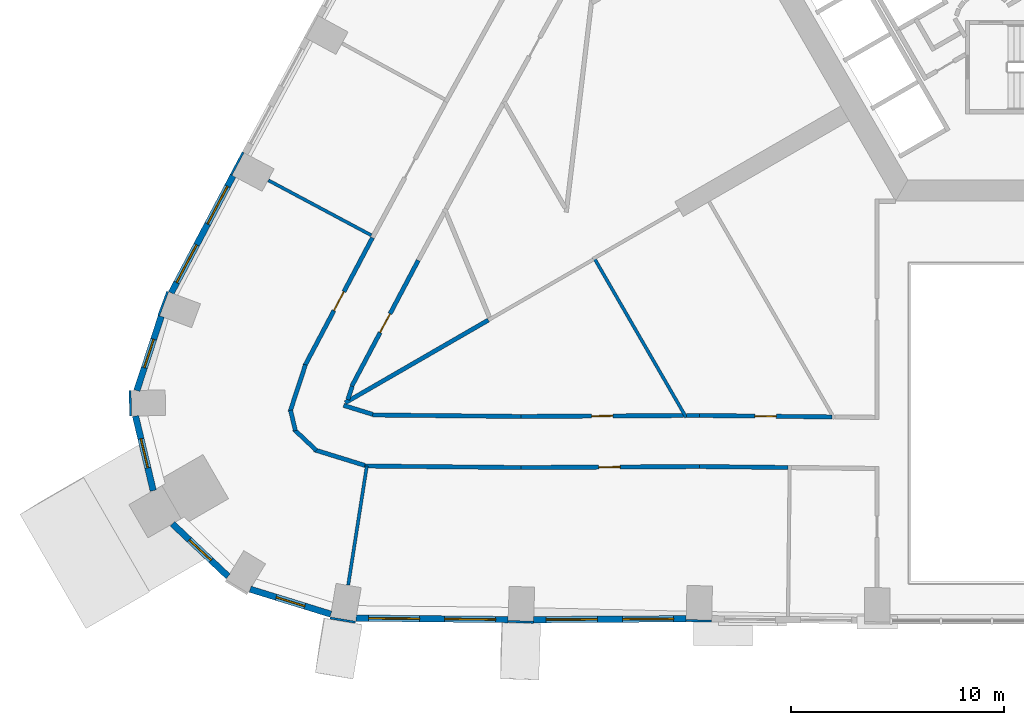
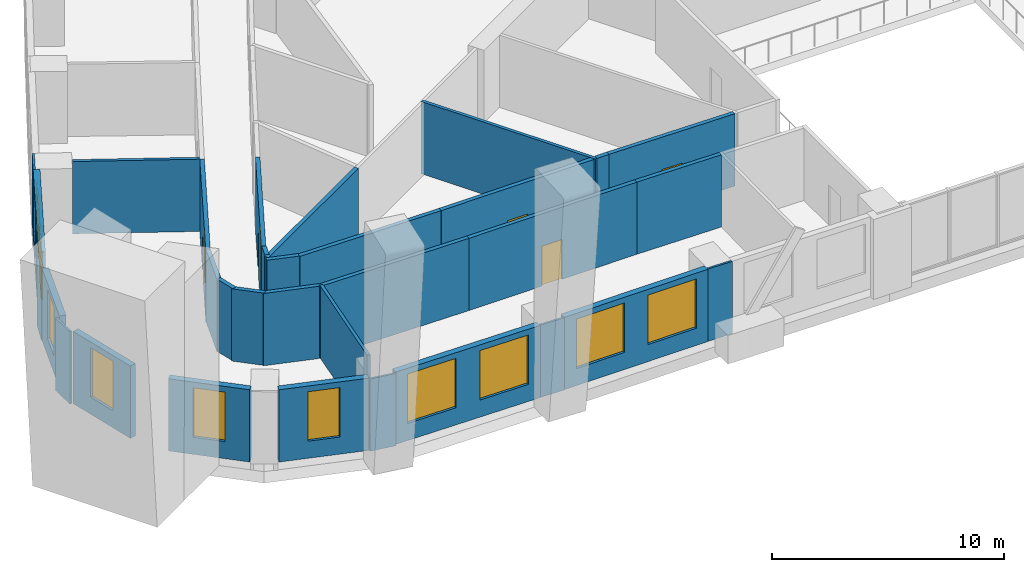
# One storey, part 4 of 16: 32 walls, 10 windows, 5 doors, 15 openings.
"""IFC4 building model written with IfcOpenShell, lengths in metres."""

from ifc_helpers import new_model, si_unit, direction, frame, frame_2d, origin, place, context, subcontext, project, spatial, rectangle, extrude, material, layer, layer_set, type_object, element, fill, save


model = new_model("IFC4")

# Units and contexts
model_context = context("Model", 3, precision=1e-05, world=origin(), true_north=direction((0.0, 1.0)))
body_context = subcontext(model_context, "Body", "Model", "MODEL_VIEW")
ifc_project = project(units=[si_unit("LENGTHUNIT", "METRE"), si_unit("AREAUNIT", "SQUARE_METRE"), si_unit("VOLUMEUNIT", "CUBIC_METRE"), si_unit("PLANEANGLEUNIT", "RADIAN"), si_unit("MASSUNIT", "GRAM", prefix="KILO")], contexts=[model_context])

# Site, building, storey
site_placement = place(None, origin())
site = spatial("IfcSite", under=ifc_project, at=site_placement, CompositionType="ELEMENT")
building_placement = place(site_placement, origin())
building = spatial("IfcBuilding", under=site, at=building_placement, Name="Entoto Arch Interchange Tower", CompositionType="ELEMENT")
storey_placement = place(building_placement, frame((0.0, 0.0, 60.199951171875)))
storey = spatial("IfcBuildingStorey", under=building, at=storey_placement, Name="L12", CompositionType="ELEMENT", Elevation=60.199951171875)

# Walls
ifc_material_1 = material(Name="Gypsum board partition on steel studs", Category="steel")
ifc_layer_1 = layer(ifc_material_1, 0.14990234375)
ifc_layer_set_1 = layer_set([ifc_layer_1], Name="Gypsum board partition on steel studs")
wall_type_1 = type_object("IfcWallType", Name="PARTITION 150", PredefinedType="PARTITIONING", material=ifc_layer_set_1)
wall_1_placement = place(storey_placement, frame((-16.76708984375, -19.657958984375, 0.0), z_axis=(0.0, 0.0, 1.0), x_axis=(-0.500083586486, 0.865977139726, 0.0)))
element("IfcWall", 1, at=wall_1_placement, inside=storey, type_object=wall_type_1, Name="wall:L12:p132", PredefinedType="PARTITIONING", context=body_context, shape_type="SweptSolid", body=[
    extrude(rectangle(XDim=8.68017578125, YDim=0.14990234375, at=frame_2d((4.340087890625, 0.0))), origin(), (0.0, 0.0, 1.0), 3.800048828125),
])
wall_2_placement = place(storey_placement, frame((-31.56103515625, -11.10302734375, 0.0), z_axis=(0.0, 0.0, 1.0), x_axis=(-0.882056805494, 0.47114306944, 0.0)))
element("IfcWall", 2, at=wall_2_placement, inside=storey, type_object=wall_type_1, Name="wall:L12:p148", PredefinedType="PARTITIONING", context=body_context, shape_type="SweptSolid", body=[
    extrude(rectangle(XDim=5.48046875, YDim=0.14990234375, at=frame_2d((2.740234375, 0.0))), origin(), (0.0, 0.0, 1.0), 3.800048828125),
])
wall_3_placement = place(storey_placement, frame((-31.77294921875, -21.944091796875, 0.0), z_axis=(0.0, 0.0, 1.0), x_axis=(-0.154313693693, -0.988021904585, 0.0)))
element("IfcWall", 3, at=wall_3_placement, inside=storey, type_object=wall_type_1, Name="wall:L12:p149", PredefinedType="PARTITIONING", context=body_context, shape_type="SweptSolid", body=[
    extrude(rectangle(XDim=5.65771484375, YDim=0.14990234375, at=frame_2d((2.828857421875, 0.0))), origin(), (0.0, 0.0, 1.0), 3.800048828125),
])
ifc_layer_2 = layer(ifc_material_1, 0.199951171875)
ifc_layer_set_2 = layer_set([ifc_layer_2], Name="Gypsum board partition on steel studs")
wall_type_2 = type_object("IfcWallType", Name="PARTITION 200", PredefinedType="PARTITIONING", material=ifc_layer_set_2)
wall_4_placement = place(storey_placement, frame((-16.741943359375, -19.571044921875, 0.0), z_axis=(0.0, 0.0, 1.0), x_axis=(0.999988034534, 0.004891910483, 0.0)))
element("IfcWall", 4, at=wall_4_placement, inside=storey, type_object=wall_type_2, Name="wall:L12:p035", PredefinedType="PARTITIONING", context=body_context, shape_type="SweptSolid", body=[
    extrude(rectangle(XDim=0.598876953125, YDim=0.199951171875, at=frame_2d((0.29931640625, 0.0))), origin(), (0.0, 0.0, 1.0), 3.800048828125),
])

# Wall, opening, door
wall_5_placement = place(storey_placement, frame((-16.14306640625, -19.568115234375, 0.0), z_axis=(0.0, 0.0, 1.0), x_axis=(0.999938688645, -0.011073344206, 0.0)))
wall_5 = element("IfcWall", 5, at=wall_5_placement, inside=storey, type_object=wall_type_2, Name="wall:L12:p036", PredefinedType="PARTITIONING", context=body_context, shape_type="SweptSolid", body=[
    extrude(rectangle(XDim=6.217529296875, YDim=0.199951171875, at=frame_2d((3.10888671875, 0.0))), origin(), (0.0, 0.0, 1.0), 3.800048828125),
])
opening_1_placement = place(wall_5_placement, frame((2.60888671875, 0.0, 0.0)))
opening_1 = element("IfcOpeningElement", 6, at=opening_1_placement, cuts=wall_5, Name="Opening L12-D24", PredefinedType="OPENING", context=body_context, shape_type="SweptSolid", body=[
    extrude(rectangle(XDim=1.0, YDim=2.10009765625, at=frame_2d((0.5, 1.050048828125))), frame((0.0, 0.10986328125, 0.0), z_axis=(0.0, -1.0, 0.0), x_axis=(1.0, 0.0, 0.0)), (0.0, 0.0, 1.0), 0.219970703125),
])
ifc_material_2 = material(Name="Timber door leaf in Steel S235 frame", Category="steel")
door_type = type_object("IfcDoorType", Name="DOOR DS-10 1000x2100", OperationType="SINGLE_SWING_LEFT", PredefinedType="DOOR", material=ifc_material_2)
door_1_placement = place(opening_1_placement, origin())
door_1 = element("IfcDoor", 7, at=door_1_placement, inside=storey, type_object=door_type, Name="door:L12:24", OperationType="SINGLE_SWING_LEFT", OverallHeight=2.10009765625, OverallWidth=1.0, PredefinedType="DOOR", context=body_context, shape_type="SweptSolid", body=[
    extrude(rectangle(XDim=1.0, YDim=2.10009765625, at=frame_2d((0.5, 1.050048828125))), frame((0.0, 0.02490234375, 0.0), z_axis=(0.0, -1.0, 0.0), x_axis=(1.0, 0.0, 0.0)), (0.0, 0.0, 1.0), 0.050048828125),
])
fill(opening_1, door_1)

wall_6_placement = place(storey_placement, frame((-29.35595703125, -12.281005859375, 0.0), z_axis=(0.0, 0.0, 1.0), x_axis=(-0.467123190417, -0.884192244353, 0.0)))
wall_6 = element("IfcWall", 8, at=wall_6_placement, inside=storey, type_object=wall_type_2, Name="wall:L12:p038", PredefinedType="PARTITIONING", context=body_context, shape_type="SweptSolid", body=[
    extrude(rectangle(XDim=6.67724609375, YDim=0.199951171875, at=frame_2d((3.338623046875, 0.0))), origin(), (0.0, 0.0, 1.0), 3.800048828125),
])
opening_2_placement = place(wall_6_placement, frame((2.839111328125, 0.0, 0.0)))
opening_2 = element("IfcOpeningElement", 9, at=opening_2_placement, cuts=wall_6, Name="Opening L12-D25", PredefinedType="OPENING", context=body_context, shape_type="SweptSolid", body=[
    extrude(rectangle(XDim=1.0, YDim=2.10009765625, at=frame_2d((0.5, 1.050048828125))), frame((0.0, 0.10986328125, 0.0), z_axis=(0.0, -1.0, 0.0), x_axis=(1.0, 0.0, 0.0)), (0.0, 0.0, 1.0), 0.219970703125),
])
door_2_placement = place(opening_2_placement, origin())
door_2 = element("IfcDoor", 10, at=door_2_placement, inside=storey, type_object=door_type, Name="door:L12:25", OperationType="SINGLE_SWING_LEFT", OverallHeight=2.10009765625, OverallWidth=1.0, PredefinedType="DOOR", context=body_context, shape_type="SweptSolid", body=[
    extrude(rectangle(XDim=1.0, YDim=2.10009765625, at=frame_2d((0.5, 1.050048828125))), frame((0.0, 0.02490234375, 0.0), z_axis=(0.0, -1.0, 0.0), x_axis=(1.0, 0.0, 0.0)), (0.0, 0.0, 1.0), 0.050048828125),
])
fill(opening_2, door_2)

# Walls
wall_7_placement = place(storey_placement, frame((-32.458984375, -18.19091796875, 0.0), z_axis=(0.0, 0.0, 1.0), x_axis=(-0.312158013001, -0.950030196846, 0.0)))
element("IfcWall", 11, at=wall_7_placement, inside=storey, type_object=wall_type_2, Name="wall:L12:p039", PredefinedType="PARTITIONING", context=body_context, shape_type="SweptSolid", body=[
    extrude(rectangle(XDim=0.666259765625, YDim=0.199951171875, at=frame_2d((0.3330078125, 0.0))), origin(), (0.0, 0.0, 1.0), 3.800048828125),
])
wall_8_placement = place(storey_placement, frame((-32.861083984375, -19.094970703125, 0.0), z_axis=(0.0, 0.0, 1.0), x_axis=(0.955301951006, -0.29563183591, 0.0)))
element("IfcWall", 12, at=wall_8_placement, inside=storey, type_object=wall_type_2, Name="wall:L12:p040", PredefinedType="PARTITIONING", context=body_context, shape_type="SweptSolid", body=[
    extrude(rectangle(XDim=1.43115234375, YDim=0.199951171875, at=frame_2d((0.715576171875, 0.0))), origin(), (0.0, 0.0, 1.0), 3.800048828125),
])
wall_9_placement = place(storey_placement, frame((-31.498046875, -19.5458984375, 0.0), z_axis=(0.0, 0.0, 1.0), x_axis=(0.999950985372, -0.009900851195, 0.0)))
element("IfcWall", 13, at=wall_9_placement, inside=storey, type_object=wall_type_2, Name="wall:L12:p041", PredefinedType="PARTITIONING", context=body_context, shape_type="SweptSolid", body=[
    extrude(rectangle(XDim=6.978271484375, YDim=0.199951171875, at=frame_2d((3.4892578125, 0.0))), origin(), (0.0, 0.0, 1.0), 3.800048828125),
])

# Wall, opening, door
wall_10_placement = place(storey_placement, frame((-24.52001953125, -19.614990234375, 0.0), z_axis=(0.0, 0.0, 1.0), x_axis=(0.999984134574, 0.00563299218, 0.0)))
wall_10 = element("IfcWall", 14, at=wall_10_placement, inside=storey, type_object=wall_type_2, Name="wall:L12:p042", PredefinedType="PARTITIONING", context=body_context, shape_type="SweptSolid", body=[
    extrude(rectangle(XDim=7.6279296875, YDim=0.199951171875, at=frame_2d((3.81396484375, 0.0))), origin(), (0.0, 0.0, 1.0), 3.800048828125),
])
opening_3_placement = place(wall_10_placement, frame((3.31396484375, 0.0, 0.0)))
opening_3 = element("IfcOpeningElement", 15, at=opening_3_placement, cuts=wall_10, Name="Opening L12-D26", PredefinedType="OPENING", context=body_context, shape_type="SweptSolid", body=[
    extrude(rectangle(XDim=1.0, YDim=2.10009765625, at=frame_2d((0.5, 1.050048828125))), frame((0.0, 0.10986328125, 0.0), z_axis=(0.0, -1.0, 0.0), x_axis=(1.0, 0.0, 0.0)), (0.0, 0.0, 1.0), 0.219970703125),
])
door_3_placement = place(opening_3_placement, origin())
door_3 = element("IfcDoor", 16, at=door_3_placement, inside=storey, type_object=door_type, Name="door:L12:26", OperationType="SINGLE_SWING_LEFT", OverallHeight=2.10009765625, OverallWidth=1.0, PredefinedType="DOOR", context=body_context, shape_type="SweptSolid", body=[
    extrude(rectangle(XDim=1.0, YDim=2.10009765625, at=frame_2d((0.5, 1.050048828125))), frame((0.0, 0.02490234375, 0.0), z_axis=(0.0, -1.0, 0.0), x_axis=(1.0, 0.0, 0.0)), (0.0, 0.0, 1.0), 0.050048828125),
])
fill(opening_3, door_3)

# Walls
wall_11_placement = place(storey_placement, frame((-31.867919921875, -21.9140625, 0.0), z_axis=(0.0, 0.0, 1.0), x_axis=(-0.955329505989, 0.295542780299, 0.0)))
element("IfcWall", 17, at=wall_11_placement, inside=storey, type_object=wall_type_2, Name="wall:L12:p074", PredefinedType="PARTITIONING", context=body_context, shape_type="SweptSolid", body=[
    extrude(rectangle(XDim=2.48388671875, YDim=0.199951171875, at=frame_2d((1.241943359375, 0.0))), origin(), (0.0, 0.0, 1.0), 3.800048828125),
])
wall_12_placement = place(storey_placement, frame((-34.14599609375, -21.208984375, 0.0), z_axis=(0.0, 0.0, 1.0), x_axis=(-0.727092478665, 0.686539530885, 0.0)))
element("IfcWall", 18, at=wall_12_placement, inside=storey, type_object=wall_type_2, Name="wall:L12:p075", PredefinedType="PARTITIONING", context=body_context, shape_type="SweptSolid", body=[
    extrude(rectangle(XDim=1.450927734375, YDim=0.199951171875, at=frame_2d((0.7255859375, 0.0))), origin(), (0.0, 0.0, 1.0), 3.800048828125),
])
wall_13_placement = place(storey_placement, frame((-35.12890625, -20.281005859375, 0.0), z_axis=(0.0, 0.0, 1.0), x_axis=(-0.230392306785, 0.973097829087, 0.0)))
element("IfcWall", 19, at=wall_13_placement, inside=storey, type_object=wall_type_2, Name="wall:L12:p076", PredefinedType="PARTITIONING", context=body_context, shape_type="SweptSolid", body=[
    extrude(rectangle(XDim=0.985595703125, YDim=0.199951171875, at=frame_2d((0.49267578125, 0.0))), origin(), (0.0, 0.0, 1.0), 3.800048828125),
])
wall_14_placement = place(storey_placement, frame((-35.386962890625, -19.416015625, 0.0), z_axis=(0.0, 0.0, 1.0), x_axis=(0.31172635658, 0.950171920556, 0.0)))
element("IfcWall", 20, at=wall_14_placement, inside=storey, type_object=wall_type_2, Name="wall:L12:p077", PredefinedType="PARTITIONING", context=body_context, shape_type="SweptSolid", body=[
    extrude(rectangle(XDim=2.344970703125, YDim=0.199951171875, at=frame_2d((1.17236328125, 0.0))), origin(), (0.0, 0.0, 1.0), 3.800048828125),
])

# Wall, opening, door
wall_15_placement = place(storey_placement, frame((-34.69189453125, -17.242919921875, 0.0), z_axis=(0.0, 0.0, 1.0), x_axis=(0.467102540817, 0.884203153332, 0.0)))
wall_15 = element("IfcWall", 21, at=wall_15_placement, inside=storey, type_object=wall_type_2, Name="wall:L12:p078", PredefinedType="PARTITIONING", context=body_context, shape_type="SweptSolid", body=[
    extrude(rectangle(XDim=6.816162109375, YDim=0.199951171875, at=frame_2d((3.408203125, 0.0))), origin(), (0.0, 0.0, 1.0), 3.800048828125),
])
opening_4_placement = place(wall_15_placement, frame((2.946044921875, 0.0, 0.0)))
opening_4 = element("IfcOpeningElement", 22, at=opening_4_placement, cuts=wall_15, Name="Opening L12-D16", PredefinedType="OPENING", context=body_context, shape_type="SweptSolid", body=[
    extrude(rectangle(XDim=1.0, YDim=2.10009765625, at=frame_2d((0.5, 1.050048828125))), frame((0.0, 0.10986328125, 0.0), z_axis=(0.0, -1.0, 0.0), x_axis=(1.0, 0.0, 0.0)), (0.0, 0.0, 1.0), 0.219970703125),
])
door_4_placement = place(opening_4_placement, origin())
door_4 = element("IfcDoor", 23, at=door_4_placement, inside=storey, type_object=door_type, Name="door:L12:16", OperationType="SINGLE_SWING_LEFT", OverallHeight=2.10009765625, OverallWidth=1.0, PredefinedType="DOOR", context=body_context, shape_type="SweptSolid", body=[
    extrude(rectangle(XDim=1.0, YDim=2.10009765625, at=frame_2d((0.5, 1.050048828125))), frame((0.0, 0.02490234375, 0.0), z_axis=(0.0, -1.0, 0.0), x_axis=(1.0, 0.0, 0.0)), (0.0, 0.0, 1.0), 0.050048828125),
])
fill(opening_4, door_4)

# Wall
wall_16_placement = place(storey_placement, frame((-11.97900390625, -22.013916015625, 0.0), z_axis=(0.0, 0.0, 1.0), x_axis=(-0.999939456554, 0.01100378236, 0.0)))
element("IfcWall", 24, at=wall_16_placement, inside=storey, type_object=wall_type_2, Name="wall:L12:p079", PredefinedType="PARTITIONING", context=body_context, shape_type="SweptSolid", body=[
    extrude(rectangle(XDim=4.171142578125, YDim=0.199951171875, at=frame_2d((2.08544921875, 0.0))), origin(), (0.0, 0.0, 1.0), 3.800048828125),
])

# Wall, opening, door
wall_17_placement = place(storey_placement, frame((-16.14990234375, -21.968017578125, 0.0), z_axis=(0.0, 0.0, 1.0), x_axis=(-0.99998433708, -0.00559692726, 0.0)))
wall_17 = element("IfcWall", 25, at=wall_17_placement, inside=storey, type_object=wall_type_2, Name="wall:L12:p080", PredefinedType="PARTITIONING", context=body_context, shape_type="SweptSolid", body=[
    extrude(rectangle(XDim=8.375244140625, YDim=0.199951171875, at=frame_2d((4.1875, 0.0))), origin(), (0.0, 0.0, 1.0), 3.800048828125),
])
opening_5_placement = place(wall_17_placement, frame((3.72509765625, 0.0, 0.0)))
opening_5 = element("IfcOpeningElement", 26, at=opening_5_placement, cuts=wall_17, Name="Opening L12-D17", PredefinedType="OPENING", context=body_context, shape_type="SweptSolid", body=[
    extrude(rectangle(XDim=1.0, YDim=2.10009765625, at=frame_2d((0.5, 1.050048828125))), frame((0.0, 0.10986328125, 0.0), z_axis=(0.0, -1.0, 0.0), x_axis=(1.0, 0.0, 0.0)), (0.0, 0.0, 1.0), 0.219970703125),
])
door_5_placement = place(opening_5_placement, origin())
door_5 = element("IfcDoor", 27, at=door_5_placement, inside=storey, type_object=door_type, Name="door:L12:17", OperationType="SINGLE_SWING_RIGHT", OverallHeight=2.10009765625, OverallWidth=1.0, PredefinedType="DOOR", context=body_context, shape_type="SweptSolid", body=[
    extrude(rectangle(XDim=1.0, YDim=2.10009765625, at=frame_2d((0.5, 1.050048828125))), frame((0.0, 0.02490234375, 0.0), z_axis=(0.0, -1.0, 0.0), x_axis=(1.0, 0.0, 0.0)), (0.0, 0.0, 1.0), 0.050048828125),
])
fill(opening_5, door_5)

# Walls
wall_18_placement = place(storey_placement, frame((-24.52490234375, -22.014892578125, 0.0), z_axis=(0.0, 0.0, 1.0), x_axis=(-0.999952295614, 0.009767624922, 0.0)))
element("IfcWall", 28, at=wall_18_placement, inside=storey, type_object=wall_type_2, Name="wall:L12:p081", PredefinedType="PARTITIONING", context=body_context, shape_type="SweptSolid", body=[
    extrude(rectangle(XDim=7.348388671875, YDim=0.199951171875, at=frame_2d((3.67431640625, 0.0))), origin(), (0.0, 0.0, 1.0), 3.800048828125),
])
wall_19_placement = place(storey_placement, frame((-26.06396484375, -15.087890625, 0.0), z_axis=(0.0, 0.0, 1.0), x_axis=(-0.865982841629, -0.500073712571, 0.0)))
element("IfcWall", 29, at=wall_19_placement, inside=storey, type_object=wall_type_2, Name="wall:L12:p133", PredefinedType="PARTITIONING", context=body_context, shape_type="SweptSolid", body=[
    extrude(rectangle(XDim=7.760986328125, YDim=0.199951171875, at=frame_2d((3.88037109375, 0.0))), origin(), (0.0, 0.0, 1.0), 3.800048828125),
])

# Wall, openings, windows
ifc_material_3 = material(Name="Welded tuff (ignimbrite) cladding, warm buff", Category="masonry")
ifc_layer_3 = layer(ifc_material_3, 0.300048828125)
ifc_layer_set_3 = layer_set([ifc_layer_3], Name="Welded tuff (ignimbrite) cladding, warm buff")
wall_type_3 = type_object("IfcWallType", Name="STONE INFILL WALL 300", PredefinedType="STANDARD", material=ifc_layer_set_3)
wall_20_placement = place(storey_placement, frame((-32.279052734375, -29.089111328125, 0.0), z_axis=(0.0, 0.0, 1.0), x_axis=(0.999952253205, -0.009771965572, 0.0)))
wall_20 = element("IfcWall", 30, at=wall_20_placement, inside=storey, type_object=wall_type_3, Name="Facade wall S-01 L12", PredefinedType="STANDARD", context=body_context, shape_type="SweptSolid", body=[
    extrude(rectangle(XDim=7.145263671875, YDim=0.300048828125, at=frame_2d((3.57275390625, 0.0))), origin(), (0.0, 0.0, 1.0), 3.800048828125),
])
opening_6_placement = place(wall_20_placement, frame((0.5859375, 0.0, 0.89990234375)))
opening_6 = element("IfcOpeningElement", 31, at=opening_6_placement, cuts=wall_20, Name="Opening WO-A", PredefinedType="OPENING", context=body_context, shape_type="SweptSolid", body=[
    extrude(rectangle(XDim=2.39990234375, YDim=2.60009765625, at=frame_2d((1.199951171875, 1.300048828125))), frame((0.0, 0.16015625, 0.0), z_axis=(0.0, -1.0, 0.0), x_axis=(1.0, 0.0, 0.0)), (0.0, 0.0, 1.0), 0.320068359375),
])
opening_7_placement = place(wall_20_placement, frame((4.158935546875, 0.0, 0.89990234375)))
opening_7 = element("IfcOpeningElement", 32, at=opening_7_placement, cuts=wall_20, Name="Opening WO-A", PredefinedType="OPENING", context=body_context, shape_type="SweptSolid", body=[
    extrude(rectangle(XDim=2.39990234375, YDim=2.60009765625, at=frame_2d((1.199951171875, 1.300048828125))), frame((0.0, 0.16015625, 0.0), z_axis=(0.0, -1.0, 0.0), x_axis=(1.0, 0.0, 0.0)), (0.0, 0.0, 1.0), 0.320068359375),
])
ifc_material_4 = material(Name="Clear glass, low-e double glazed", Category="glass")
window_type_1 = type_object("IfcWindowType", Name="WINDOW WO-A 2400x2600", PartitioningType="DOUBLE_PANEL_VERTICAL", PredefinedType="WINDOW", material=ifc_material_4)
window_1_placement = place(opening_6_placement, origin())
window_1 = element("IfcWindow", 33, at=window_1_placement, inside=storey, type_object=window_type_1, Name="Window WO-A S-01 L12", OverallHeight=2.60009765625, OverallWidth=2.39990234375, PartitioningType="SINGLE_PANEL", PredefinedType="WINDOW", context=body_context, shape_type="SweptSolid", body=[
    extrude(rectangle(XDim=2.39990234375, YDim=2.60009765625, at=frame_2d((1.199951171875, 1.300048828125))), frame((0.0, 0.030029296875, 0.0), z_axis=(0.0, -1.0, 0.0), x_axis=(1.0, 0.0, 0.0)), (0.0, 0.0, 1.0), 0.06005859375),
])
fill(opening_6, window_1)
window_2_placement = place(opening_7_placement, origin())
window_2 = element("IfcWindow", 34, at=window_2_placement, inside=storey, type_object=window_type_1, Name="Window WO-A S-01 L12", OverallHeight=2.60009765625, OverallWidth=2.39990234375, PartitioningType="SINGLE_PANEL", PredefinedType="WINDOW", context=body_context, shape_type="SweptSolid", body=[
    extrude(rectangle(XDim=2.39990234375, YDim=2.60009765625, at=frame_2d((1.199951171875, 1.300048828125))), frame((0.0, 0.030029296875, 0.0), z_axis=(0.0, -1.0, 0.0), x_axis=(1.0, 0.0, 0.0)), (0.0, 0.0, 1.0), 0.06005859375),
])
fill(opening_7, window_2)

wall_21_placement = place(storey_placement, frame((-23.93603515625, -29.162109375, 0.0), z_axis=(0.0, 0.0, 1.0), x_axis=(0.999983638272, 0.005720418525, 0.0)))
wall_21 = element("IfcWall", 35, at=wall_21_placement, inside=storey, type_object=wall_type_3, Name="Facade wall S-02 L12", PredefinedType="STANDARD", context=body_context, shape_type="SweptSolid", body=[
    extrude(rectangle(XDim=7.169921875, YDim=0.300048828125, at=frame_2d((3.5849609375, 0.0))), origin(), (0.0, 0.0, 1.0), 3.800048828125),
])
opening_8_placement = place(wall_21_placement, frame((0.593017578125, 0.0, 0.89990234375)))
opening_8 = element("IfcOpeningElement", 36, at=opening_8_placement, cuts=wall_21, Name="Opening WO-A", PredefinedType="OPENING", context=body_context, shape_type="SweptSolid", body=[
    extrude(rectangle(XDim=2.39990234375, YDim=2.60009765625, at=frame_2d((1.199951171875, 1.300048828125))), frame((0.0, 0.16015625, 0.0), z_axis=(0.0, -1.0, 0.0), x_axis=(1.0, 0.0, 0.0)), (0.0, 0.0, 1.0), 0.320068359375),
])
opening_9_placement = place(wall_21_placement, frame((4.177978515625, 0.0, 0.89990234375)))
opening_9 = element("IfcOpeningElement", 37, at=opening_9_placement, cuts=wall_21, Name="Opening WO-A", PredefinedType="OPENING", context=body_context, shape_type="SweptSolid", body=[
    extrude(rectangle(XDim=2.39990234375, YDim=2.60009765625, at=frame_2d((1.199951171875, 1.300048828125))), frame((0.0, 0.16015625, 0.0), z_axis=(0.0, -1.0, 0.0), x_axis=(1.0, 0.0, 0.0)), (0.0, 0.0, 1.0), 0.320068359375),
])
window_3_placement = place(opening_8_placement, origin())
window_3 = element("IfcWindow", 38, at=window_3_placement, inside=storey, type_object=window_type_1, Name="Window WO-A S-02 L12", OverallHeight=2.60009765625, OverallWidth=2.39990234375, PartitioningType="SINGLE_PANEL", PredefinedType="WINDOW", context=body_context, shape_type="SweptSolid", body=[
    extrude(rectangle(XDim=2.39990234375, YDim=2.60009765625, at=frame_2d((1.199951171875, 1.300048828125))), frame((0.0, 0.030029296875, 0.0), z_axis=(0.0, -1.0, 0.0), x_axis=(1.0, 0.0, 0.0)), (0.0, 0.0, 1.0), 0.06005859375),
])
fill(opening_8, window_3)
window_4_placement = place(opening_9_placement, origin())
window_4 = element("IfcWindow", 39, at=window_4_placement, inside=storey, type_object=window_type_1, Name="Window WO-A S-02 L12", OverallHeight=2.60009765625, OverallWidth=2.39990234375, PartitioningType="SINGLE_PANEL", PredefinedType="WINDOW", context=body_context, shape_type="SweptSolid", body=[
    extrude(rectangle(XDim=2.39990234375, YDim=2.60009765625, at=frame_2d((1.199951171875, 1.300048828125))), frame((0.0, 0.030029296875, 0.0), z_axis=(0.0, -1.0, 0.0), x_axis=(1.0, 0.0, 0.0)), (0.0, 0.0, 1.0), 0.06005859375),
])
fill(opening_9, window_4)

wall_22_placement = place(storey_placement, frame((-38.05908203125, -8.31005859375, 0.0), z_axis=(0.0, 0.0, 1.0), x_axis=(-0.467041710902, -0.884235285587, 0.0)))
wall_22 = element("IfcWall", 40, at=wall_22_placement, inside=storey, type_object=wall_type_3, Name="Facade wall NW-09 L12", PredefinedType="STANDARD", context=body_context, shape_type="SweptSolid", body=[
    extrude(rectangle(XDim=6.219970703125, YDim=0.300048828125, at=frame_2d((3.10986328125, 0.0))), origin(), (0.0, 0.0, 1.0), 3.800048828125),
])
opening_10_placement = place(wall_22_placement, frame((0.554931640625, 0.0, 0.89990234375)))
opening_10 = element("IfcOpeningElement", 41, at=opening_10_placement, cuts=wall_22, Name="Opening WO-C", PredefinedType="OPENING", context=body_context, shape_type="SweptSolid", body=[
    extrude(rectangle(XDim=2.0, YDim=2.60009765625, at=frame_2d((1.0, 1.300048828125))), frame((0.0, 0.16015625, 0.0), z_axis=(0.0, -1.0, 0.0), x_axis=(1.0, 0.0, 0.0)), (0.0, 0.0, 1.0), 0.320068359375),
])
opening_11_placement = place(wall_22_placement, frame((3.6650390625, 0.0, 0.89990234375)))
opening_11 = element("IfcOpeningElement", 42, at=opening_11_placement, cuts=wall_22, Name="Opening WO-C", PredefinedType="OPENING", context=body_context, shape_type="SweptSolid", body=[
    extrude(rectangle(XDim=2.0, YDim=2.60009765625, at=frame_2d((1.0, 1.300048828125))), frame((0.0, 0.16015625, 0.0), z_axis=(0.0, -1.0, 0.0), x_axis=(1.0, 0.0, 0.0)), (0.0, 0.0, 1.0), 0.320068359375),
])
window_type_2 = type_object("IfcWindowType", Name="WINDOW WO-C 2000x2600", PartitioningType="DOUBLE_PANEL_VERTICAL", PredefinedType="WINDOW", material=ifc_material_4)
window_5_placement = place(opening_10_placement, origin())
window_5 = element("IfcWindow", 43, at=window_5_placement, inside=storey, type_object=window_type_2, Name="Window WO-C NW-09 L12", OverallHeight=2.60009765625, OverallWidth=2.0, PartitioningType="SINGLE_PANEL", PredefinedType="WINDOW", context=body_context, shape_type="SweptSolid", body=[
    extrude(rectangle(XDim=2.0, YDim=2.60009765625, at=frame_2d((1.0, 1.300048828125))), frame((0.0, 0.030029296875, 0.0), z_axis=(0.0, -1.0, 0.0), x_axis=(1.0, 0.0, 0.0)), (0.0, 0.0, 1.0), 0.06005859375),
])
fill(opening_10, window_5)
window_6_placement = place(opening_11_placement, origin())
window_6 = element("IfcWindow", 44, at=window_6_placement, inside=storey, type_object=window_type_2, Name="Window WO-C NW-09 L12", OverallHeight=2.60009765625, OverallWidth=2.0, PartitioningType="SINGLE_PANEL", PredefinedType="WINDOW", context=body_context, shape_type="SweptSolid", body=[
    extrude(rectangle(XDim=2.0, YDim=2.60009765625, at=frame_2d((1.0, 1.300048828125))), frame((0.0, 0.030029296875, 0.0), z_axis=(0.0, -1.0, 0.0), x_axis=(1.0, 0.0, 0.0)), (0.0, 0.0, 1.0), 0.06005859375),
])
fill(opening_11, window_6)

# Wall, opening, window
wall_23_placement = place(storey_placement, frame((-41.43408203125, -14.9130859375, 0.0), z_axis=(0.0, 0.0, 1.0), x_axis=(-0.31208801137, -0.95005319491, 0.0)))
wall_23 = element("IfcWall", 45, at=wall_23_placement, inside=storey, type_object=wall_type_3, Name="Facade wall SW-01 L12", PredefinedType="STANDARD", context=body_context, shape_type="SweptSolid", body=[
    extrude(rectangle(XDim=3.6650390625, YDim=0.300048828125, at=frame_2d((1.83251953125, 0.0))), origin(), (0.0, 0.0, 1.0), 3.800048828125),
])
opening_12_placement = place(wall_23_placement, frame((1.133056640625, 0.0, 0.89990234375)))
opening_12 = element("IfcOpeningElement", 46, at=opening_12_placement, cuts=wall_23, Name="Opening WO-B", PredefinedType="OPENING", context=body_context, shape_type="SweptSolid", body=[
    extrude(rectangle(XDim=1.39990234375, YDim=2.60009765625, at=frame_2d((0.699951171875, 1.300048828125))), frame((0.0, 0.16015625, 0.0), z_axis=(0.0, -1.0, 0.0), x_axis=(1.0, 0.0, 0.0)), (0.0, 0.0, 1.0), 0.320068359375),
])
window_type_3 = type_object("IfcWindowType", Name="WINDOW WO-B 1400x2600", PartitioningType="DOUBLE_PANEL_VERTICAL", PredefinedType="WINDOW", material=ifc_material_4)
window_7_placement = place(opening_12_placement, origin())
window_7 = element("IfcWindow", 47, at=window_7_placement, inside=storey, type_object=window_type_3, Name="Window WO-B SW-01 L12", OverallHeight=2.60009765625, OverallWidth=1.39990234375, PartitioningType="SINGLE_PANEL", PredefinedType="WINDOW", context=body_context, shape_type="SweptSolid", body=[
    extrude(rectangle(XDim=1.39990234375, YDim=2.60009765625, at=frame_2d((0.699951171875, 1.300048828125))), frame((0.0, 0.030029296875, 0.0), z_axis=(0.0, -1.0, 0.0), x_axis=(1.0, 0.0, 0.0)), (0.0, 0.0, 1.0), 0.06005859375),
])
fill(opening_12, window_7)

wall_24_placement = place(storey_placement, frame((-42.639892578125, -19.594970703125, 0.0), z_axis=(0.0, 0.0, 1.0), x_axis=(0.230893603767, -0.972979004778, 0.0)))
wall_24 = element("IfcWall", 48, at=wall_24_placement, inside=storey, type_object=wall_type_3, Name="Facade wall SW-02 L12", PredefinedType="STANDARD", context=body_context, shape_type="SweptSolid", body=[
    extrude(rectangle(XDim=3.6025390625, YDim=0.300048828125, at=frame_2d((1.80126953125, 0.0))), origin(), (0.0, 0.0, 1.0), 3.800048828125),
])
opening_13_placement = place(wall_24_placement, frame((1.10107421875, 0.0, 0.89990234375)))
opening_13 = element("IfcOpeningElement", 49, at=opening_13_placement, cuts=wall_24, Name="Opening WO-B", PredefinedType="OPENING", context=body_context, shape_type="SweptSolid", body=[
    extrude(rectangle(XDim=1.39990234375, YDim=2.60009765625, at=frame_2d((0.699951171875, 1.300048828125))), frame((0.0, 0.16015625, 0.0), z_axis=(0.0, -1.0, 0.0), x_axis=(1.0, 0.0, 0.0)), (0.0, 0.0, 1.0), 0.320068359375),
])
window_8_placement = place(opening_13_placement, origin())
window_8 = element("IfcWindow", 50, at=window_8_placement, inside=storey, type_object=window_type_3, Name="Window WO-B SW-02 L12", OverallHeight=2.60009765625, OverallWidth=1.39990234375, PartitioningType="SINGLE_PANEL", PredefinedType="WINDOW", context=body_context, shape_type="SweptSolid", body=[
    extrude(rectangle(XDim=1.39990234375, YDim=2.60009765625, at=frame_2d((0.699951171875, 1.300048828125))), frame((0.0, 0.030029296875, 0.0), z_axis=(0.0, -1.0, 0.0), x_axis=(1.0, 0.0, 0.0)), (0.0, 0.0, 1.0), 0.06005859375),
])
fill(opening_13, window_8)

wall_25_placement = place(storey_placement, frame((-40.908935546875, -24.656982421875, 0.0), z_axis=(0.0, 0.0, 1.0), x_axis=(0.727082698591, -0.686549888508, 0.0)))
wall_25 = element("IfcWall", 51, at=wall_25_placement, inside=storey, type_object=wall_type_3, Name="Facade wall SW-03 L12", PredefinedType="STANDARD", context=body_context, shape_type="SweptSolid", body=[
    extrude(rectangle(XDim=3.601806640625, YDim=0.300048828125, at=frame_2d((1.80078125, 0.0))), origin(), (0.0, 0.0, 1.0), 3.800048828125),
])
opening_14_placement = place(wall_25_placement, frame((1.10107421875, 0.0, 0.89990234375)))
opening_14 = element("IfcOpeningElement", 52, at=opening_14_placement, cuts=wall_25, Name="Opening WO-B", PredefinedType="OPENING", context=body_context, shape_type="SweptSolid", body=[
    extrude(rectangle(XDim=1.39990234375, YDim=2.60009765625, at=frame_2d((0.699951171875, 1.300048828125))), frame((0.0, 0.16015625, 0.0), z_axis=(0.0, -1.0, 0.0), x_axis=(1.0, 0.0, 0.0)), (0.0, 0.0, 1.0), 0.320068359375),
])
window_9_placement = place(opening_14_placement, origin())
window_9 = element("IfcWindow", 53, at=window_9_placement, inside=storey, type_object=window_type_3, Name="Window WO-B SW-03 L12", OverallHeight=2.60009765625, OverallWidth=1.39990234375, PartitioningType="SINGLE_PANEL", PredefinedType="WINDOW", context=body_context, shape_type="SweptSolid", body=[
    extrude(rectangle(XDim=1.39990234375, YDim=2.60009765625, at=frame_2d((0.699951171875, 1.300048828125))), frame((0.0, 0.030029296875, 0.0), z_axis=(0.0, -1.0, 0.0), x_axis=(1.0, 0.0, 0.0)), (0.0, 0.0, 1.0), 0.06005859375),
])
fill(opening_14, window_9)

wall_26_placement = place(storey_placement, frame((-37.25390625, -27.73193359375, 0.0), z_axis=(0.0, 0.0, 1.0), x_axis=(0.955308230541, -0.295611543518, 0.0)))
wall_26 = element("IfcWall", 54, at=wall_26_placement, inside=storey, type_object=wall_type_3, Name="Facade wall SW-04 L12", PredefinedType="STANDARD", context=body_context, shape_type="SweptSolid", body=[
    extrude(rectangle(XDim=3.96826171875, YDim=0.300048828125, at=frame_2d((1.984130859375, 0.0))), origin(), (0.0, 0.0, 1.0), 3.800048828125),
])
opening_15_placement = place(wall_26_placement, frame((1.283935546875, 0.0, 0.89990234375)))
opening_15 = element("IfcOpeningElement", 55, at=opening_15_placement, cuts=wall_26, Name="Opening WO-B", PredefinedType="OPENING", context=body_context, shape_type="SweptSolid", body=[
    extrude(rectangle(XDim=1.39990234375, YDim=2.60009765625, at=frame_2d((0.699951171875, 1.300048828125))), frame((0.0, 0.16015625, 0.0), z_axis=(0.0, -1.0, 0.0), x_axis=(1.0, 0.0, 0.0)), (0.0, 0.0, 1.0), 0.320068359375),
])
window_10_placement = place(opening_15_placement, origin())
window_10 = element("IfcWindow", 56, at=window_10_placement, inside=storey, type_object=window_type_3, Name="Window WO-B SW-04 L12", OverallHeight=2.60009765625, OverallWidth=1.39990234375, PartitioningType="SINGLE_PANEL", PredefinedType="WINDOW", context=body_context, shape_type="SweptSolid", body=[
    extrude(rectangle(XDim=1.39990234375, YDim=2.60009765625, at=frame_2d((0.699951171875, 1.300048828125))), frame((0.0, 0.030029296875, 0.0), z_axis=(0.0, -1.0, 0.0), x_axis=(1.0, 0.0, 0.0)), (0.0, 0.0, 1.0), 0.06005859375),
])
fill(opening_15, window_10)

# Walls
ifc_layer_4 = layer(ifc_material_3, 0.10009765625)
ifc_layer_set_4 = layer_set([ifc_layer_4], Name="Welded tuff (ignimbrite) cladding, warm buff")
wall_type_4 = type_object("IfcWallType", Name="STONE PIER CLADDING 100", PredefinedType="STANDARD", material=ifc_layer_set_4)
wall_27_placement = place(storey_placement, frame((-37.5859375, -7.2041015625, 0.0), z_axis=(0.0, 0.0, 1.0), x_axis=(-0.469467784567, -0.882949601763, 0.0)))
element("IfcWall", 57, at=wall_27_placement, inside=storey, type_object=wall_type_4, Name="Stone pier NW09 L12", PredefinedType="STANDARD", context=body_context, shape_type="SweptSolid", body=[
    extrude(rectangle(XDim=1.19921875, YDim=0.10009765625, at=frame_2d((0.599609375, 0.0))), origin(), (0.0, 0.0, 1.0), 3.800048828125),
])
wall_28_placement = place(storey_placement, frame((-41.132080078125, -13.74609375, 0.0), z_axis=(0.0, 0.0, 1.0), x_axis=(-0.348268249601, -0.937394914814, 0.0)))
element("IfcWall", 58, at=wall_28_placement, inside=storey, type_object=wall_type_4, Name="Stone pier NW10 L12", PredefinedType="STANDARD", context=body_context, shape_type="SweptSolid", body=[
    extrude(rectangle(XDim=1.2001953125, YDim=0.10009765625, at=frame_2d((0.60009765625, 0.0))), origin(), (0.0, 0.0, 1.0), 3.800048828125),
])
for number, where, z_axis, x_axis, name in (
    (59, (-33.493896484375, -29.083984375, 0.0), (0.0, 0.0, 1.0), (0.986011774526, -0.166675674579, 0.0), "Stone pier S01 L12"),
    (60, (-25.137939453125, -29.2451171875, 0.0), (0.0, 0.0, 1.0), (0.999449640202, -0.033172529292, 0.0), "Stone pier S02 L12"),
):
    element("IfcWall", number, at=place(storey_placement, frame(where, z_axis=z_axis, x_axis=x_axis)), inside=storey, type_object=wall_type_4, Name=name, PredefinedType="STANDARD", context=body_context, shape_type="SweptSolid", body=[
        extrude(rectangle(XDim=1.19970703125, YDim=0.10009765625, at=frame_2d((0.599853515625, 0.0))), origin(), (0.0, 0.0, 1.0), 3.800048828125),
    ])
wall_29_placement = place(storey_placement, frame((-16.76904296875, -29.205078125, 0.0), z_axis=(0.0, 0.0, 1.0), x_axis=(0.99976752127, -0.021561618973, 0.0)))
element("IfcWall", 61, at=wall_29_placement, inside=storey, type_object=wall_type_4, Name="Stone pier S03 L12", PredefinedType="STANDARD", context=body_context, shape_type="SweptSolid", body=[
    extrude(rectangle(XDim=1.2001953125, YDim=0.10009765625, at=frame_2d((0.60009765625, 0.0))), origin(), (0.0, 0.0, 1.0), 3.800048828125),
])
wall_30_placement = place(storey_placement, frame((-42.89892578125, -18.40087890625, 0.0), z_axis=(0.0, 0.0, 1.0), x_axis=(0.023183352363, -0.999731229968, 0.0)))
element("IfcWall", 62, at=wall_30_placement, inside=storey, type_object=wall_type_4, Name="Stone pier SW1 L12", PredefinedType="STANDARD", context=body_context, shape_type="SweptSolid", body=[
    extrude(rectangle(XDim=1.200439453125, YDim=0.10009765625, at=frame_2d((0.60009765625, 0.0))), origin(), (0.0, 0.0, 1.0), 3.800048828125),
])

save(model, "model.ifc")
